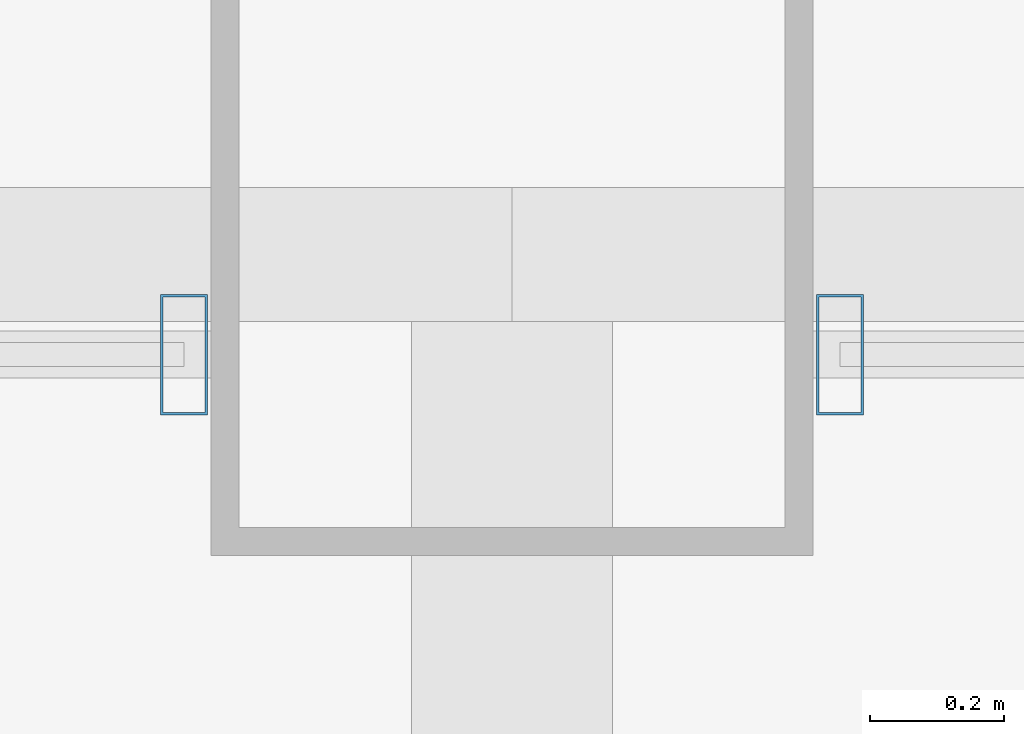
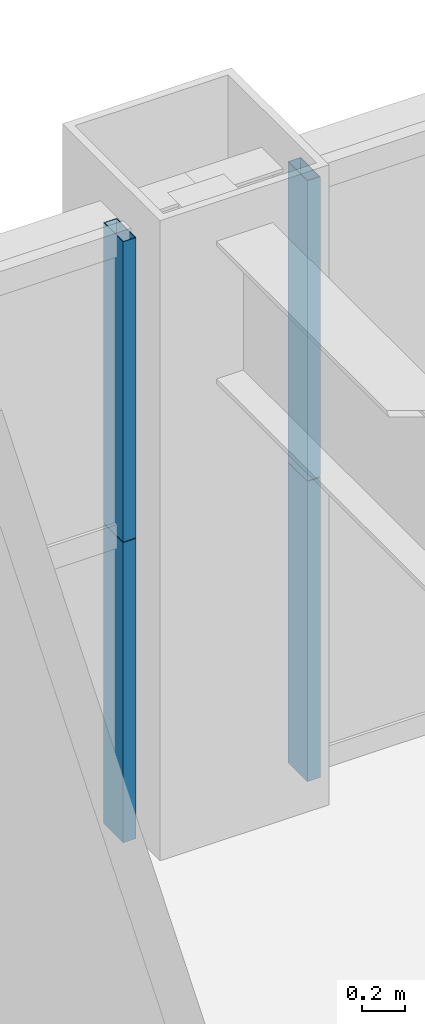
# One storey, part 30 of 43: 4 members, 2 elements without a shape of their own.
"""IFC4 building model written with IfcOpenShell, lengths in metres."""

from ifc_helpers import new_model, si_unit, direction, frame, origin, origin_2d, place, context, subcontext, project, spatial, hollow_rectangle, extrude, source, transform, mapped, material, layer, layer_set, material_profile, profile_set, type_object, element, aggregate, save


model = new_model("IFC4")

# Units and contexts
model_context = context("Model", 3, precision=1e-05, world=origin(), true_north=direction((0.0, 1.0)))
body_context = subcontext(model_context, "Body", "Model", "MODEL_VIEW")
ifc_project = project(units=[si_unit("LENGTHUNIT", "METRE"), si_unit("AREAUNIT", "SQUARE_METRE"), si_unit("VOLUMEUNIT", "CUBIC_METRE"), si_unit("PLANEANGLEUNIT", "RADIAN"), si_unit("MASSUNIT", "GRAM", prefix="KILO"), si_unit("THERMODYNAMICTEMPERATUREUNIT", "KELVIN"), si_unit("POWERUNIT", "WATT")], contexts=[model_context])

# Site, building, storey
site_placement = place(None, origin())
site = spatial("IfcSite", under=ifc_project, at=site_placement, CompositionType="ELEMENT")
building_placement = place(site_placement, origin())
building = spatial("IfcBuilding", under=site, at=building_placement, Name="Yuzanri Waterfront Tower", CompositionType="ELEMENT")
storey_placement = place(building_placement, frame((0.0, 0.0, 67.60009765625)))
storey = spatial("IfcBuildingStorey", under=building, at=storey_placement, Name="L17", CompositionType="ELEMENT", Elevation=67.60009765625)

# Curtain wall, members
ifc_material_1 = material(Name="Anodized Architectural Bronze", Category="metal")
ifc_layer = layer(ifc_material_1, 0.159912109375)
ifc_layer_set = layer_set([ifc_layer], Name="Anodized Architectural Bronze")
curtain_wall_type = type_object("IfcCurtainWallType", Name="Anodized Bronze Hotel Lower-Tier Recessed Unitized Curtain Wall 8100", PredefinedType="NOTDEFINED", material=ifc_layer_set)
curtain_wall_1_placement = place(storey_placement, origin())
curtain_wall_1 = element("IfcCurtainWall", 1, at=curtain_wall_1_placement, inside=storey, type_object=curtain_wall_type, Name="L17 Curtain Wall CW-L17-NL", PredefinedType="NOTDEFINED")
ifc_material_2 = material(Name="Anodized Architectural Bronze", Category="metal")
ifc_material_profile = material_profile(ifc_material_2, hollow_rectangle(XDim=0.070068359375, YDim=0.179931640625, WallThickness=0.00390625, at=origin_2d()), Name="CWM 70x180")
ifc_profile_set = profile_set([ifc_material_profile], Name="Anodized Architectural Bronze")
member_type = type_object("IfcMemberType", Name="Anodized Bronze Standard Curtain-Wall Mullion 70x180", PredefinedType="MULLION", material=ifc_profile_set)
shared_shape = source(origin(), body_context, "Body", "SweptSolid", [
    extrude(hollow_rectangle(XDim=0.070068359375, YDim=0.179931640625, WallThickness=0.00390625, at=origin_2d()), origin(), (0.0, 0.0, 1.0), 1.68798828125),
])
member_1_placement = place(storey_placement, frame((36.510009765625, 50.75, 0.0), z_axis=(0.0, 0.0, 1.0), x_axis=(1.0, 0.0, 0.0)))
member_1 = element("IfcMember", 2, at=member_1_placement, type_object=member_type, Name="CW-L17-NL Lower Mullion 02", PredefinedType="MULLION", context=body_context, shape_type="MappedRepresentation", body=[
    mapped(shared_shape, transform((0.0, 0.0, 0.0), scale=1.0)),
])
member_2_placement = place(storey_placement, frame((36.510009765625, 50.75, 1.69189453125), z_axis=(0.0, 0.0, 1.0), x_axis=(1.0, 0.0, 0.0)))
member_2 = element("IfcMember", 3, at=member_2_placement, type_object=member_type, Name="CW-L17-NL Upper Mullion 02", PredefinedType="MULLION", context=body_context, shape_type="MappedRepresentation", body=[
    mapped(shared_shape, transform((0.0, 0.0, 0.0), scale=1.0)),
])
aggregate(curtain_wall_1, [member_1, member_2])

curtain_wall_2_placement = place(storey_placement, origin())
curtain_wall_2 = element("IfcCurtainWall", 4, at=curtain_wall_2_placement, inside=storey, type_object=curtain_wall_type, Name="L17 Curtain Wall CW-L17-NR", PredefinedType="NOTDEFINED")
member_3_placement = place(storey_placement, frame((37.489990234375, 50.75, 0.0), z_axis=(0.0, 0.0, 1.0), x_axis=(1.0, 0.0, 0.0)))
member_3 = element("IfcMember", 5, at=member_3_placement, type_object=member_type, Name="CW-L17-NR Lower Mullion 00", PredefinedType="MULLION", context=body_context, shape_type="MappedRepresentation", body=[
    mapped(shared_shape, transform((0.0, 0.0, 0.0), scale=1.0)),
])
member_4_placement = place(storey_placement, frame((37.489990234375, 50.75, 1.69189453125), z_axis=(0.0, 0.0, 1.0), x_axis=(1.0, 0.0, 0.0)))
member_4 = element("IfcMember", 6, at=member_4_placement, type_object=member_type, Name="CW-L17-NR Upper Mullion 00", PredefinedType="MULLION", context=body_context, shape_type="MappedRepresentation", body=[
    mapped(shared_shape, transform((0.0, 0.0, 0.0), scale=1.0)),
])
aggregate(curtain_wall_2, [member_3, member_4])

save(model, "model.ifc")
